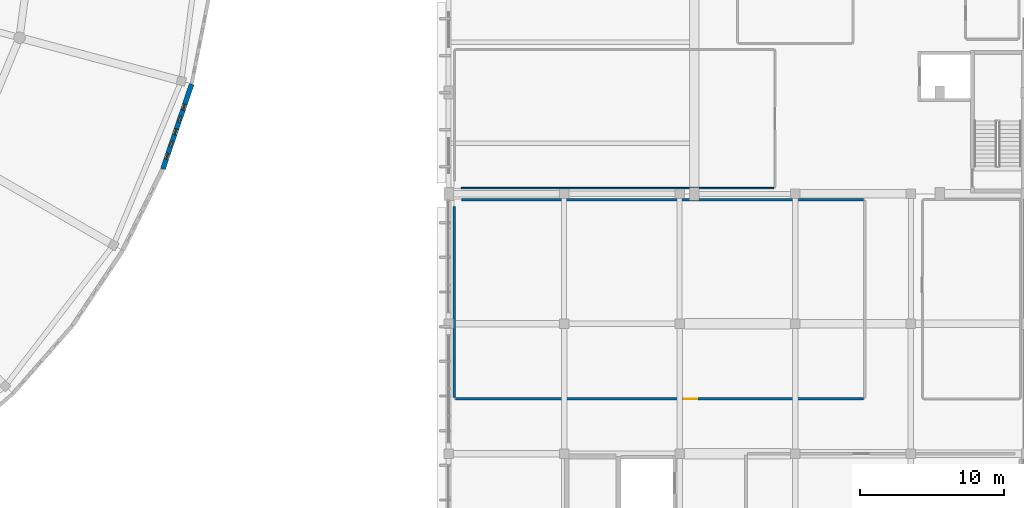
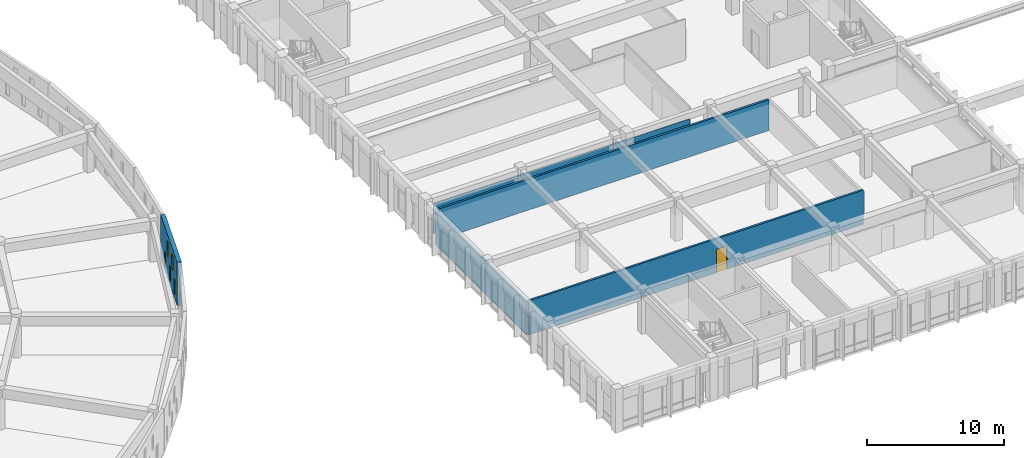
# One storey, part 60 of 98: 5 walls, 5 windows, 1 door, 6 openings.
"""IFC4 building model written with IfcOpenShell, lengths in metres."""

from ifc_helpers import new_model, si_unit, direction, frame, frame_2d, origin, place, context, subcontext, project, spatial, rectangle, extrude, material, layer, layer_set, type_object, element, fill, save


model = new_model("IFC4")

# Units and contexts
model_context = context("Model", 3, precision=1e-05, world=origin(), true_north=direction((0.0, 1.0)))
body_context = subcontext(model_context, "Body", "Model", "MODEL_VIEW")
ifc_project = project(units=[si_unit("LENGTHUNIT", "METRE"), si_unit("AREAUNIT", "SQUARE_METRE"), si_unit("VOLUMEUNIT", "CUBIC_METRE"), si_unit("PLANEANGLEUNIT", "RADIAN"), si_unit("MASSUNIT", "GRAM", prefix="KILO")], contexts=[model_context])

# Site, building, storey
site_placement = place(None, origin())
site = spatial("IfcSite", under=ifc_project, at=site_placement, CompositionType="ELEMENT")
building_placement = place(site_placement, origin())
building = spatial("IfcBuilding", under=site, at=building_placement, Name="Larkveld Mobility Hub", CompositionType="ELEMENT")
storey_placement = place(building_placement, frame((0.0, 0.0, 4.5)))
storey = spatial("IfcBuildingStorey", under=building, at=storey_placement, Name="L01", CompositionType="ELEMENT", Elevation=4.5)

# Wall, openings, windows
ifc_material_1 = material(Name="Fired clay brick 25 MPa", Category="masonry")
ifc_layer_1 = layer(ifc_material_1, 0.340087890625, Name="Fired clay brick 25 MPa", Category="masonry")
ifc_layer_set_1 = layer_set([ifc_layer_1], Name="Fired clay brick 25 MPa")
wall_type_1 = type_object("IfcWallType", Name="WL-BRK-340", PredefinedType="USERDEFINED", material=ifc_layer_set_1)
wall_1_placement = place(storey_placement, frame((92.216064453125, 29.7119140625, 0.0), z_axis=(0.0, 0.0, 1.0), x_axis=(0.321364960579, 0.946955417172, 0.0)))
wall_1 = element("IfcWall", 1, at=wall_1_placement, inside=storey, type_object=wall_type_1, Name="Drum Woven Open-Bond Brick Chord L01-0090", ObjectType="PERFORATED BRICK SCREEN", PredefinedType="USERDEFINED", context=body_context, shape_type="SweptSolid", body=[
    extrude(rectangle(XDim=6.21044921875, YDim=0.340087890625, at=frame_2d((3.105224609375, 0.0))), origin(), (0.0, 0.0, 1.0), 3.89990234375),
])
opening_1_placement = place(wall_1_placement, frame((0.719970703125, 0.0, 0.419921875)))
opening_1 = element("IfcOpeningElement", 2, at=opening_1_placement, cuts=wall_1, Name="Opening W01", PredefinedType="OPENING", context=body_context, shape_type="SweptSolid", body=[
    extrude(rectangle(XDim=0.419921875, YDim=1.280029296875, at=frame_2d((0.2099609375, 0.64013671875))), frame((0.0, 0.18017578125, 0.0), z_axis=(0.0, -1.0, 0.0), x_axis=(1.0, 0.0, 0.0)), (0.0, 0.0, 1.0), 0.360107421875),
])
opening_2_placement = place(wall_1_placement, frame((2.52001953125, 0.0, 0.419921875)))
opening_2 = element("IfcOpeningElement", 3, at=opening_2_placement, cuts=wall_1, Name="Opening W01", PredefinedType="OPENING", context=body_context, shape_type="SweptSolid", body=[
    extrude(rectangle(XDim=0.419921875, YDim=1.280029296875, at=frame_2d((0.2099609375, 0.64013671875))), frame((0.0, 0.18017578125, 0.0), z_axis=(0.0, -1.0, 0.0), x_axis=(1.0, 0.0, 0.0)), (0.0, 0.0, 1.0), 0.360107421875),
])
opening_3_placement = place(wall_1_placement, frame((4.320068359375, 0.0, 0.419921875)))
opening_3 = element("IfcOpeningElement", 4, at=opening_3_placement, cuts=wall_1, Name="Opening W01", PredefinedType="OPENING", context=body_context, shape_type="SweptSolid", body=[
    extrude(rectangle(XDim=0.419921875, YDim=1.280029296875, at=frame_2d((0.2099609375, 0.64013671875))), frame((0.0, 0.18017578125, 0.0), z_axis=(0.0, -1.0, 0.0), x_axis=(1.0, 0.0, 0.0)), (0.0, 0.0, 1.0), 0.360107421875),
])
opening_4_placement = place(wall_1_placement, frame((1.6201171875, 0.0, 1.97998046875)))
opening_4 = element("IfcOpeningElement", 5, at=opening_4_placement, cuts=wall_1, Name="Opening W02", PredefinedType="OPENING", context=body_context, shape_type="SweptSolid", body=[
    extrude(rectangle(XDim=0.449951171875, YDim=1.320068359375, at=frame_2d((0.22509765625, 0.66015625))), frame((0.0, 0.18017578125, 0.0), z_axis=(0.0, -1.0, 0.0), x_axis=(1.0, 0.0, 0.0)), (0.0, 0.0, 1.0), 0.360107421875),
])
opening_5_placement = place(wall_1_placement, frame((3.419921875, 0.0, 1.97998046875)))
opening_5 = element("IfcOpeningElement", 6, at=opening_5_placement, cuts=wall_1, Name="Opening W02", PredefinedType="OPENING", context=body_context, shape_type="SweptSolid", body=[
    extrude(rectangle(XDim=0.449951171875, YDim=1.320068359375, at=frame_2d((0.22509765625, 0.66015625))), frame((0.0, 0.18017578125, 0.0), z_axis=(0.0, -1.0, 0.0), x_axis=(1.0, 0.0, 0.0)), (0.0, 0.0, 1.0), 0.360107421875),
])
ifc_material_2 = material(Name="Extruded aluminium ventilation grille", Category="aluminium")
window_type_1 = type_object("IfcWindowType", Name="WN-VENT-01", PartitioningType="SINGLE_PANEL", PredefinedType="WINDOW", material=ifc_material_2)
window_1_placement = place(opening_1_placement, origin())
window_1 = element("IfcWindow", 7, at=window_1_placement, inside=storey, type_object=window_type_1, Name="Window W01 (0436)", OverallHeight=1.280029296875, OverallWidth=0.419921875, PartitioningType="SINGLE_PANEL", PredefinedType="WINDOW", context=body_context, shape_type="SweptSolid", body=[
    extrude(rectangle(XDim=0.419921875, YDim=1.280029296875, at=frame_2d((0.2099609375, 0.64013671875))), frame((0.0, 0.030029296875, 0.0), z_axis=(0.0, -1.0, 0.0), x_axis=(1.0, 0.0, 0.0)), (0.0, 0.0, 1.0), 0.06005859375),
])
fill(opening_1, window_1)
window_2_placement = place(opening_2_placement, origin())
window_2 = element("IfcWindow", 8, at=window_2_placement, inside=storey, type_object=window_type_1, Name="Window W01 (0437)", OverallHeight=1.280029296875, OverallWidth=0.419921875, PartitioningType="SINGLE_PANEL", PredefinedType="WINDOW", context=body_context, shape_type="SweptSolid", body=[
    extrude(rectangle(XDim=0.419921875, YDim=1.280029296875, at=frame_2d((0.2099609375, 0.64013671875))), frame((0.0, 0.030029296875, 0.0), z_axis=(0.0, -1.0, 0.0), x_axis=(1.0, 0.0, 0.0)), (0.0, 0.0, 1.0), 0.06005859375),
])
fill(opening_2, window_2)
window_3_placement = place(opening_3_placement, origin())
window_3 = element("IfcWindow", 9, at=window_3_placement, inside=storey, type_object=window_type_1, Name="Window W01 (0438)", OverallHeight=1.280029296875, OverallWidth=0.419921875, PartitioningType="SINGLE_PANEL", PredefinedType="WINDOW", context=body_context, shape_type="SweptSolid", body=[
    extrude(rectangle(XDim=0.419921875, YDim=1.280029296875, at=frame_2d((0.2099609375, 0.64013671875))), frame((0.0, 0.030029296875, 0.0), z_axis=(0.0, -1.0, 0.0), x_axis=(1.0, 0.0, 0.0)), (0.0, 0.0, 1.0), 0.06005859375),
])
fill(opening_3, window_3)
window_type_2 = type_object("IfcWindowType", Name="WN-VENT-02", PartitioningType="SINGLE_PANEL", PredefinedType="WINDOW", material=ifc_material_2)
window_4_placement = place(opening_4_placement, origin())
window_4 = element("IfcWindow", 10, at=window_4_placement, inside=storey, type_object=window_type_2, Name="Window W02 (0439)", OverallHeight=1.320068359375, OverallWidth=0.449951171875, PartitioningType="SINGLE_PANEL", PredefinedType="WINDOW", context=body_context, shape_type="SweptSolid", body=[
    extrude(rectangle(XDim=0.449951171875, YDim=1.320068359375, at=frame_2d((0.22509765625, 0.66015625))), frame((0.0, 0.030029296875, 0.0), z_axis=(0.0, -1.0, 0.0), x_axis=(1.0, 0.0, 0.0)), (0.0, 0.0, 1.0), 0.06005859375),
])
fill(opening_4, window_4)
window_5_placement = place(opening_5_placement, origin())
window_5 = element("IfcWindow", 11, at=window_5_placement, inside=storey, type_object=window_type_2, Name="Window W02 (0440)", OverallHeight=1.320068359375, OverallWidth=0.449951171875, PartitioningType="SINGLE_PANEL", PredefinedType="WINDOW", context=body_context, shape_type="SweptSolid", body=[
    extrude(rectangle(XDim=0.449951171875, YDim=1.320068359375, at=frame_2d((0.22509765625, 0.66015625))), frame((0.0, 0.030029296875, 0.0), z_axis=(0.0, -1.0, 0.0), x_axis=(1.0, 0.0, 0.0)), (0.0, 0.0, 1.0), 0.06005859375),
])
fill(opening_5, window_5)

# Wall
ifc_material_3 = material(Name="Concrete blockwork masonry 14 MPa", Category="masonry")
ifc_layer_2 = layer(ifc_material_3, 0.10009765625, Name="Concrete blockwork masonry 14 MPa", Category="masonry")
ifc_layer_set_2 = layer_set([ifc_layer_2], Name="Concrete blockwork masonry 14 MPa")
wall_type_2 = type_object("IfcWallType", Name="WL-PRT-100", PredefinedType="PARTITIONING", material=ifc_layer_set_2)
wall_2_placement = place(storey_placement, frame((112.889892578125, 28.39990234375, 0.0), z_axis=(0.0, 0.0, 1.0), x_axis=(1.0, 0.0, 0.0)))
element("IfcWall", 12, at=wall_2_placement, inside=storey, type_object=wall_type_2, Name="Intermodal Passenger Waiting Concourse Partition 0075", PredefinedType="PARTITIONING", context=body_context, shape_type="SweptSolid", body=[
    extrude(rectangle(XDim=21.630126953125, YDim=0.10009765625, at=frame_2d((10.81494140625, 0.0))), origin(), (0.0, 0.0, 1.0), 2.695068359375),
])

# Wall, opening, door
ifc_layer_3 = layer(ifc_material_3, 0.175048828125, Name="Concrete blockwork masonry 14 MPa", Category="masonry")
ifc_layer_set_3 = layer_set([ifc_layer_3], Name="Concrete blockwork masonry 14 MPa")
wall_type_3 = type_object("IfcWallType", Name="WL-PRT-175", PredefinedType="PARTITIONING", material=ifc_layer_set_3)
wall_3_placement = place(storey_placement, frame((112.47998046875, 13.800048828125, 0.0), z_axis=(0.0, 0.0, 1.0), x_axis=(1.0, 0.0, 0.0)))
wall_3 = element("IfcWall", 13, at=wall_3_placement, inside=storey, type_object=wall_type_3, Name="Bus and Taxi Driver Rest Canteen Partition 0095", PredefinedType="PARTITIONING", context=body_context, shape_type="SweptSolid", body=[
    extrude(rectangle(XDim=28.239990234375, YDim=0.175048828125, at=frame_2d((14.1201171875, 0.0))), origin(), (0.0, 0.0, 1.0), 3.044921875),
])
opening_6_placement = place(wall_3_placement, frame((15.8330078125, 0.0, 0.0)))
opening_6 = element("IfcOpeningElement", 14, at=opening_6_placement, cuts=wall_3, Name="Opening DI01", PredefinedType="OPENING", context=body_context, shape_type="SweptSolid", body=[
    extrude(rectangle(XDim=0.89990234375, YDim=2.10009765625, at=frame_2d((0.449951171875, 1.050048828125))), frame((0.0, 0.09765625, 0.0), z_axis=(0.0, -1.0, 0.0), x_axis=(1.0, 0.0, 0.0)), (0.0, 0.0, 1.0), 0.195068359375),
])
ifc_material_4 = material(Name="Solid-core hardwood timber door in aluminium frame", Category="wood")
door_type = type_object("IfcDoorType", Name="DR-INT-090", OperationType="NOTDEFINED", PredefinedType="DOOR", material=ifc_material_4)
door_placement = place(opening_6_placement, origin())
door = element("IfcDoor", 15, at=door_placement, inside=storey, type_object=door_type, Name="Bus and Taxi Driver Rest Canteen Door 0025", OperationType="SINGLE_SWING_RIGHT", OverallHeight=2.10009765625, OverallWidth=0.89990234375, PredefinedType="DOOR", context=body_context, shape_type="SweptSolid", body=[
    extrude(rectangle(XDim=0.89990234375, YDim=2.10009765625, at=frame_2d((0.449951171875, 1.050048828125))), frame((0.0, 0.02490234375, 0.0), z_axis=(0.0, -1.0, 0.0), x_axis=(1.0, 0.0, 0.0)), (0.0, 0.0, 1.0), 0.050048828125),
])
fill(opening_6, door)

# Walls
wall_4_placement = place(storey_placement, frame((112.889892578125, 27.60009765625, 0.0), z_axis=(0.0, 0.0, 1.0), x_axis=(1.0, 0.0, 0.0)))
element("IfcWall", 16, at=wall_4_placement, inside=storey, type_object=wall_type_3, Name="Bus and Taxi Driver Rest Canteen Partition 0096", PredefinedType="PARTITIONING", context=body_context, shape_type="SweptSolid", body=[
    extrude(rectangle(XDim=27.830078125, YDim=0.175048828125, at=frame_2d((13.9150390625, 0.0))), origin(), (0.0, 0.0, 1.0), 2.7451171875),
])
wall_5_placement = place(storey_placement, frame((112.39990234375, 13.8798828125, 0.0), z_axis=(0.0, 0.0, 1.0), x_axis=(0.0, 1.0, 0.0)))
element("IfcWall", 17, at=wall_5_placement, inside=storey, type_object=wall_type_3, Name="Bus and Taxi Driver Rest Canteen Partition 0097", PredefinedType="PARTITIONING", context=body_context, shape_type="SweptSolid", body=[
    extrude(rectangle(XDim=13.230224609375, YDim=0.175048828125, at=frame_2d((6.615234375, 0.0))), origin(), (0.0, 0.0, 1.0), 2.945068359375),
])

save(model, "model.ifc")
